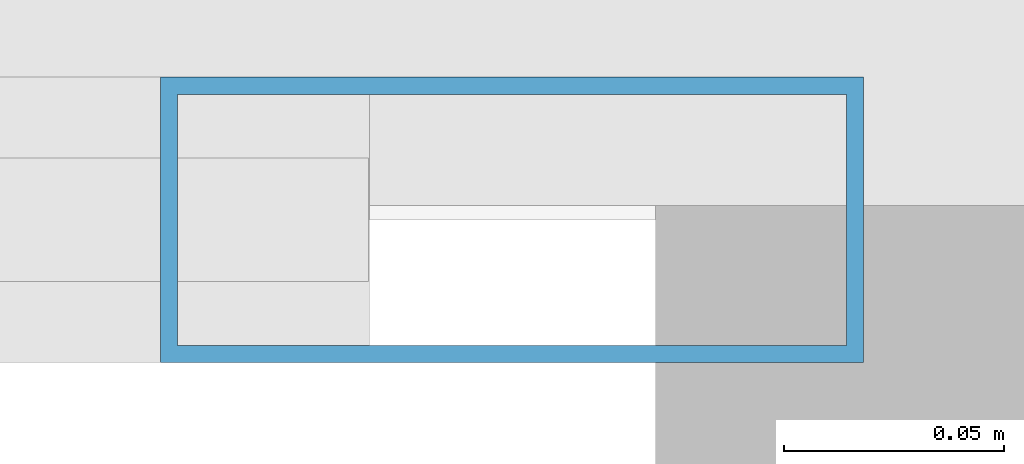
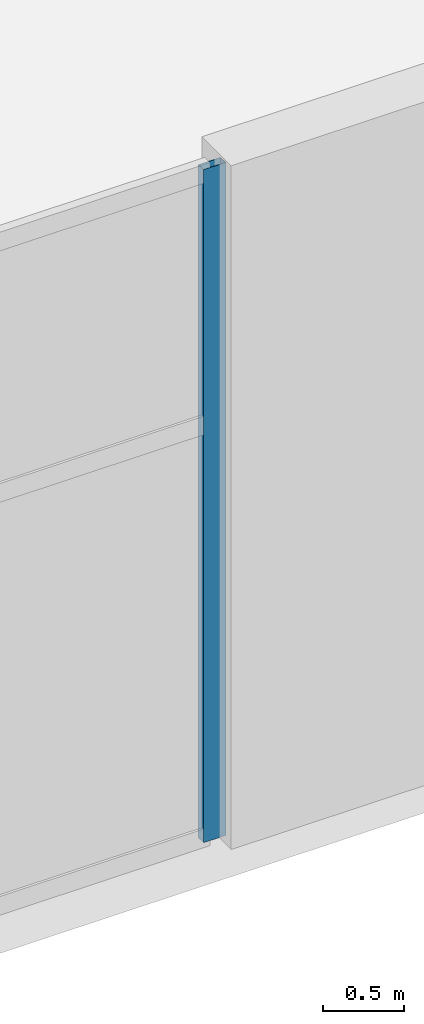
# One storey, part 10 of 29: 1 member, 1 element without a shape of its own.
"""IFC4 building model written with IfcOpenShell, lengths in metres."""

from ifc_helpers import new_model, si_unit, direction, frame, origin, origin_2d, place, context, subcontext, project, spatial, hollow_rectangle, extrude, material, layer, layer_set, material_profile, profile_set, type_object, element, aggregate, save


model = new_model("IFC4")

# Units and contexts
model_context = context("Model", 3, precision=1e-05, world=origin(), true_north=direction((0.0, 1.0)))
body_context = subcontext(model_context, "Body", "Model", "MODEL_VIEW")
ifc_project = project(units=[si_unit("LENGTHUNIT", "METRE"), si_unit("AREAUNIT", "SQUARE_METRE"), si_unit("VOLUMEUNIT", "CUBIC_METRE"), si_unit("PLANEANGLEUNIT", "RADIAN"), si_unit("MASSUNIT", "GRAM", prefix="KILO")], contexts=[model_context])

# Site, building, storey
site_placement = place(None, origin())
site = spatial("IfcSite", under=ifc_project, at=site_placement, CompositionType="ELEMENT")
building_placement = place(site_placement, origin())
building = spatial("IfcBuilding", under=site, at=building_placement, Name="Haevon Station Towers", CompositionType="ELEMENT")
storey_placement = place(building_placement, frame((0.0, 0.0, 25.199951171875)))
storey = spatial("IfcBuildingStorey", under=building, at=storey_placement, Name="L05", CompositionType="ELEMENT", Elevation=25.199951171875)

# Curtain wall, member
ifc_material_1 = material(Name="Anodised aluminium and Low-E double glazing", Category="aluminium")
ifc_layer = layer(ifc_material_1, 0.179931640625)
ifc_layer_set = layer_set([ifc_layer], Name="Anodised aluminium and Low-E double glazing")
curtain_wall_type = type_object("IfcCurtainWallType", Name="CW-SYS3", PredefinedType="NOTDEFINED", material=ifc_layer_set)
curtain_wall_placement = place(storey_placement, origin())
curtain_wall = element("IfcCurtainWall", 1, at=curtain_wall_placement, inside=storey, type_object=curtain_wall_type, Name="L05 Curtain Wall CW-POD-L05-S1", PredefinedType="NOTDEFINED")
ifc_material_2 = material(Name="Anodised aluminium 6063-T6", Category="aluminium")
ifc_material_profile = material_profile(ifc_material_2, hollow_rectangle(XDim=0.06494140625, YDim=0.159912109375, WallThickness=0.00390625, at=origin_2d()), Name="CWM-160x65x4")
ifc_profile_set = profile_set([ifc_material_profile], Name="Anodised aluminium 6063-T6")
member_type = type_object("IfcMemberType", Name="CWM-160", PredefinedType="MULLION", material=ifc_profile_set)
member_placement = place(storey_placement, frame((104.967529296875, 5.5, 0.0), z_axis=(0.0, 0.0, 1.0), x_axis=(0.0, -1.0, 0.0)))
member = element("IfcMember", 2, at=member_placement, type_object=member_type, Name="CW-SYS3 mullion 1", PredefinedType="MULLION", context=body_context, shape_type="SweptSolid", body=[
    extrude(hollow_rectangle(XDim=0.06494140625, YDim=0.159912109375, WallThickness=0.00390625, at=origin_2d()), origin(), (0.0, 0.0, 1.0), 5.050048828125),
])
aggregate(curtain_wall, [member])

save(model, "model.ifc")
